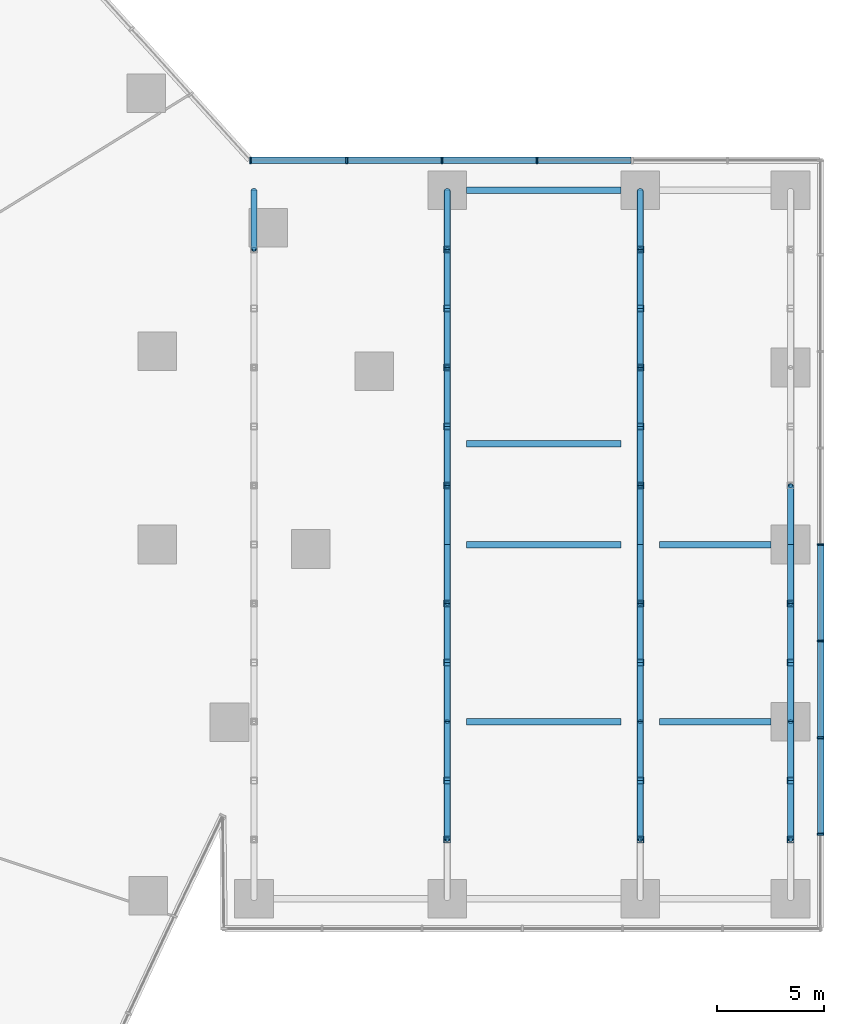
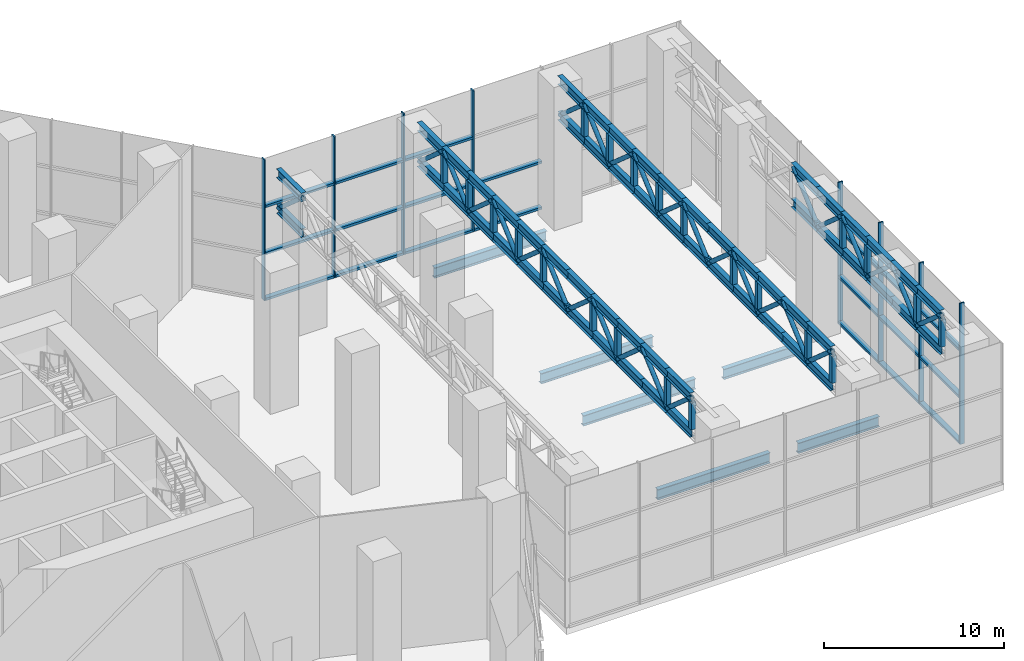
# One storey, part 7 of 21: 137 members, 6 beams, 2 elements without a shape of their own.
"""IFC4 building model written with IfcOpenShell, lengths in metres."""

import ifcopenshell
import ifcopenshell.guid

model = None  # the IFC model being written
_history = None  # IfcOwnerHistory: only IFC2X3 demands one
_inside = {}  # id of a spatial element -> (the spatial element, [elements in it])
_under = {}  # id of a project, library or spatial element -> (it, [spatial elements below it])
_declared = {}  # id of a project -> (the project, [libraries it declares])
_typed = {}  # id of a type object -> (the type object, [elements of that type])
_made_of = {}  # id of a material, layer set ... -> (it, [elements and type objects made of it])


def new_model(schema):
    """Start an empty IFC model of exactly this schema.

    Asked for "IFC4X3", IfcOpenShell would pick the latest addendum, in which some entities
    have other attributes; the version numbers below select the first issue.
    IFC2X3 requires an IfcOwnerHistory on every rooted entity: one is made here for all.
    """
    global model, _history
    if schema == "IFC4X3":
        model = ifcopenshell.file(schema_version=(4, 3, 0, 0))
    else:
        model = ifcopenshell.file(schema=schema)
    _inside.clear()
    _under.clear()
    _declared.clear()
    _typed.clear()
    _made_of.clear()
    _history = None
    if model.schema == "IFC2X3":
        org = make("IfcOrganization", Name="unknown")
        user = make(
            "IfcPersonAndOrganization",
            ThePerson=make("IfcPerson", FamilyName="unknown"),
            TheOrganization=org,
        )
        app = make(
            "IfcApplication",
            ApplicationDeveloper=org,
            Version="unknown",
            ApplicationFullName="unknown",
            ApplicationIdentifier="unknown",
        )
        _history = make(
            "IfcOwnerHistory",
            OwningUser=user,
            OwningApplication=app,
            ChangeAction="ADDED",
            CreationDate=0,
        )
    return model


def make(cls, **values):
    """One entity of the class cls with the attributes given. An attribute that is None is left unset."""
    return model.create_entity(
        cls, **{name: value for name, value in values.items() if value is not None}
    )


def rooted(cls, **values):
    """An entity with a GlobalId (a new one), such as an element, a storey or a relation."""
    return make(cls, GlobalId=ifcopenshell.guid.new(), OwnerHistory=_history, **values)


def si_unit(unit_type, name, prefix=None):
    """IfcSIUnit, for example si_unit("LENGTHUNIT", "METRE", prefix="MILLI")."""
    return make("IfcSIUnit", UnitType=unit_type, Prefix=prefix, Name=name)


def assignment(units):
    """IfcUnitAssignment: the units of a project."""
    return None if units is None else make("IfcUnitAssignment", Units=units)


def point(xyz):
    """IfcCartesianPoint."""
    return None if xyz is None else make("IfcCartesianPoint", Coordinates=xyz)


def direction(xyz):
    """IfcDirection."""
    return None if xyz is None else make("IfcDirection", DirectionRatios=xyz)


def frame(location, z_axis=None, x_axis=None):
    """IfcAxis2Placement3D, a coordinate frame: its origin and axes. An axis left out is left unset."""
    return make(
        "IfcAxis2Placement3D",
        Location=point(location),
        Axis=direction(z_axis),
        RefDirection=direction(x_axis),
    )


def frame_2d(location, x_axis=None):
    """IfcAxis2Placement2D, a coordinate frame in the plane: its origin and x axis."""
    return make(
        "IfcAxis2Placement2D", Location=point(location), RefDirection=direction(x_axis)
    )


def origin():
    """The frame at (0, 0, 0) with its axes left unset."""
    return frame((0.0, 0.0, 0.0))


def origin_2d():
    """The frame at (0, 0) in the plane with its x axis left unset."""
    return frame_2d((0.0, 0.0))


def place(relative_to, where):
    """IfcLocalPlacement: puts the frame where relative to a parent placement (None: the world)."""
    return make(
        "IfcLocalPlacement", PlacementRelTo=relative_to, RelativePlacement=where
    )


def context(
    kind, dimensions, precision=None, world=None, true_north=None, identifier=None
):
    """IfcGeometricRepresentationContext, for example the 3D "Model" context."""
    return make(
        "IfcGeometricRepresentationContext",
        ContextIdentifier=identifier,
        ContextType=kind,
        CoordinateSpaceDimension=dimensions,
        Precision=precision,
        WorldCoordinateSystem=world,
        TrueNorth=true_north,
    )


def subcontext(parent, identifier, kind, view, scale=None):
    """IfcGeometricRepresentationSubContext, for example "Body" below "Model"."""
    return make(
        "IfcGeometricRepresentationSubContext",
        ContextIdentifier=identifier,
        ContextType=kind,
        ParentContext=parent,
        TargetScale=scale,
        TargetView=view,
    )


def project(units=None, contexts=None):
    """IfcProject with its units and contexts."""
    return rooted(
        "IfcProject",
        Name="project",
        RepresentationContexts=contexts,
        UnitsInContext=assignment(units),
    )


def spatial(cls, under=None, at=None, **own):
    """A site, building, storey or space (cls), placed at a placement, below another one or the project."""
    s = rooted(cls, ObjectPlacement=at, **own)
    if under is not None:
        _under.setdefault(under.id(), (under, []))[1].append(s)
    return s


def profile(cls, at=None, kind="AREA", **sizes):
    """A parametric profile (cls). Its sizes go by their IFC names, for example OverallWidth=200.0."""
    return make(cls, ProfileType=kind, Position=at, **sizes)


def rectangle(**sizes):
    """IfcRectangleProfileDef."""
    return profile("IfcRectangleProfileDef", **sizes)


def hollow_rectangle(**sizes):
    """IfcRectangleHollowProfileDef."""
    return profile("IfcRectangleHollowProfileDef", **sizes)


def hollow_circle(**sizes):
    """IfcCircleHollowProfileDef."""
    return profile("IfcCircleHollowProfileDef", **sizes)


def i_section(**sizes):
    """IfcIShapeProfileDef."""
    return profile("IfcIShapeProfileDef", **sizes)


def extrude(swept, where, along, depth):
    """IfcExtrudedAreaSolid: the profile swept, set in the frame where, extruded along a direction by depth."""
    return make(
        "IfcExtrudedAreaSolid",
        SweptArea=swept,
        Position=where,
        ExtrudedDirection=direction(along),
        Depth=depth,
    )


def shape(context_of_items, identifier, shape_type, items):
    """IfcShapeRepresentation: the items that make up one representation, for example the "Body"."""
    return make(
        "IfcShapeRepresentation",
        ContextOfItems=context_of_items,
        RepresentationIdentifier=identifier,
        RepresentationType=shape_type,
        Items=items,
    )


def material(Name=None, Category=None):
    """IfcMaterial."""
    return make("IfcMaterial", Name=Name, Category=Category)


def layer(
    of_material, thickness, ventilated=None, Name=None, Category=None, Priority=None
):
    """IfcMaterialLayer: one layer of a wall or slab, of a material (None: an air gap)."""
    return make(
        "IfcMaterialLayer",
        Material=of_material,
        LayerThickness=thickness,
        IsVentilated=ventilated,
        Name=Name,
        Category=Category,
        Priority=Priority,
    )


def layer_set(layers, Name=None):
    """IfcMaterialLayerSet."""
    return make("IfcMaterialLayerSet", MaterialLayers=layers, LayerSetName=Name)


def material_profile(
    of_material, cross_section, Name=None, Category=None, Priority=None
):
    """IfcMaterialProfile: a cross section and its material."""
    return make(
        "IfcMaterialProfile",
        Name=Name,
        Material=of_material,
        Profile=cross_section,
        Priority=Priority,
        Category=Category,
    )


def profile_set(profiles, Name=None, composite=None):
    """IfcMaterialProfileSet."""
    return make(
        "IfcMaterialProfileSet",
        Name=Name,
        MaterialProfiles=profiles,
        CompositeProfile=composite,
    )


def made_of(thing, what):
    """Note that an element or type object is made of a material, layer set ...; save() writes the relation."""
    if what is not None:
        _made_of.setdefault(what.id(), (what, []))[1].append(thing)
    return thing


def type_object(cls, material=None, **own):
    """A type object (cls), such as IfcWallType, which elements share."""
    return made_of(rooted(cls, **own), material)


def element(
    cls,
    number,
    at=None,
    inside=None,
    cuts=None,
    type_object=None,
    material=None,
    context=None,
    identifier="Body",
    shape_type=None,
    held_by="IfcProductDefinitionShape",
    body=None,
    shapes=None,
    **own,
):
    """One element of the class cls, such as IfcWall. Its Tag is "e" and its number.

    at: its placement. inside: the storey or other place that contains it. cuts: it is an
    opening in that element (IfcRelVoidsElement). A single representation is given by context,
    identifier, shape_type and body (its items); several are given by shapes. held_by: the class
    of the entity that holds the representations. save() writes the other relations.
    """
    e = rooted(cls, Tag="e%d" % number, ObjectPlacement=at, **own)
    if body is not None:
        shapes = [shape(context, identifier, shape_type, body)]
    if shapes is not None:
        e.Representation = make(held_by, Representations=shapes)
    if inside is not None:
        _inside.setdefault(inside.id(), (inside, []))[1].append(e)
    if cuts is not None:
        rooted(
            "IfcRelVoidsElement", RelatingBuildingElement=cuts, RelatedOpeningElement=e
        )
    if type_object is not None:
        _typed.setdefault(type_object.id(), (type_object, []))[1].append(e)
    return made_of(e, material)


def aggregate(whole, parts):
    """IfcRelAggregates: a whole, such as a stair, and the parts it consists of."""
    return rooted("IfcRelAggregates", RelatingObject=whole, RelatedObjects=parts)


def save(model, path):
    """Write the relations noted so far, then the file.

    IfcRelAggregates (storeys below a building ...), IfcRelContainedInSpatialStructure (elements
    in a storey), IfcRelDefinesByType, IfcRelAssociatesMaterial and IfcRelDeclares: one each for
    every whole, place, type object, material and project.
    """
    for whole, parts in _under.values():
        aggregate(whole, parts)
    for where, things in _inside.values():
        rooted(
            "IfcRelContainedInSpatialStructure",
            RelatedElements=things,
            RelatingStructure=where,
        )
    for kind, things in _typed.values():
        rooted("IfcRelDefinesByType", RelatedObjects=things, RelatingType=kind)
    for what, things in _made_of.values():
        rooted("IfcRelAssociatesMaterial", RelatedObjects=things, RelatingMaterial=what)
    for by, libraries in _declared.values():
        rooted("IfcRelDeclares", RelatingContext=by, RelatedDefinitions=libraries)
    model.write(path)


model = new_model("IFC4")

# Units and contexts
model_context = context("Model", 3, precision=1e-05, world=origin(), true_north=direction((0.0, 1.0)))
body_context = subcontext(model_context, "Body", "Model", "MODEL_VIEW")
ifc_project = project(units=[si_unit("LENGTHUNIT", "METRE"), si_unit("AREAUNIT", "SQUARE_METRE"), si_unit("VOLUMEUNIT", "CUBIC_METRE"), si_unit("PLANEANGLEUNIT", "RADIAN"), si_unit("MASSUNIT", "GRAM", prefix="KILO")], contexts=[model_context])

# Site, building, storey
site_placement = place(None, origin())
site = spatial("IfcSite", under=ifc_project, at=site_placement, CompositionType="ELEMENT")
building_placement = place(site_placement, origin())
building = spatial("IfcBuilding", under=site, at=building_placement, Name="Dongbaek Canopy Tower", CompositionType="ELEMENT")
storey_placement = place(building_placement, frame((0.0, 0.0, 9.0)))
storey = spatial("IfcBuildingStorey", under=building, at=storey_placement, Name="L01", CompositionType="ELEMENT", Elevation=9.0)

# Members
ifc_material_1 = material(Name="Steel S355", Category="steel")
ifc_material_profile_1 = material_profile(ifc_material_1, hollow_circle(Radius=0.1337890625, WallThickness=0.00927734375, at=origin_2d()), Name="BRACE CHS 267.4x9.3 Steel S355")
ifc_profile_set_1 = profile_set([ifc_material_profile_1], Name="Steel S355")
member_type_1 = type_object("IfcMemberType", Name="BRACE CHS 267.4x9.3 Steel S355", PredefinedType="BRACE", material=ifc_profile_set_1)
for number, where, z_axis, x_axis, name in (
    (1, (31.5, 13.75, 9.406005859375), (0.0, 0.751782331066, -0.659411348627), (-1.0, 0.0, 0.0), "ROOFTRUSS:EW:0:D11"),
    (2, (40.5, -13.75, 9.406005859375), (0.0, 0.751782331066, -0.659411348627), (-1.0, 0.0, 0.0), "ROOFTRUSS:EW:1:D1"),
    (3, (40.5, -11.0, 6.993896484375), (0.0, 0.751782331066, 0.659411348627), (-1.0, 0.0, 0.0), "ROOFTRUSS:EW:1:D2"),
    (4, (40.5, -8.25, 9.406005859375), (0.0, 0.751782331066, -0.659411348627), (-1.0, 0.0, 0.0), "ROOFTRUSS:EW:1:D3"),
    (5, (40.5, -5.5, 6.993896484375), (0.0, 0.751782331066, 0.659411348627), (-1.0, 0.0, 0.0), "ROOFTRUSS:EW:1:D4"),
    (6, (40.5, -2.75, 9.406005859375), (0.0, 0.751782331066, -0.659411348627), (-1.0, 0.0, 0.0), "ROOFTRUSS:EW:1:D5"),
    (7, (40.5, 0.0, 6.993896484375), (0.0, 0.751782331066, 0.659411348627), (-1.0, 0.0, 0.0), "ROOFTRUSS:EW:1:D6"),
    (8, (40.5, 2.75, 9.406005859375), (0.0, 0.751782331066, -0.659411348627), (-1.0, 0.0, 0.0), "ROOFTRUSS:EW:1:D7"),
    (9, (40.5, 5.5, 6.993896484375), (0.0, 0.751782331066, 0.659411348627), (-1.0, 0.0, 0.0), "ROOFTRUSS:EW:1:D8"),
    (10, (40.5, 8.25, 9.406005859375), (0.0, 0.751782331066, -0.659411348627), (-1.0, 0.0, 0.0), "ROOFTRUSS:EW:1:D9"),
    (11, (40.5, 11.0, 6.993896484375), (0.0, 0.751782331066, 0.659411348627), (-1.0, 0.0, 0.0), "ROOFTRUSS:EW:1:D10"),
    (12, (40.5, 13.75, 9.406005859375), (0.0, 0.751782331066, -0.659411348627), (-1.0, 0.0, 0.0), "ROOFTRUSS:EW:1:D11"),
    (13, (49.5, -13.75, 9.406005859375), (0.0, 0.751782331066, -0.659411348627), (-1.0, 0.0, 0.0), "ROOFTRUSS:EW:2:D1"),
    (14, (49.5, -11.0, 6.993896484375), (0.0, 0.751782331066, 0.659411348627), (-1.0, 0.0, 0.0), "ROOFTRUSS:EW:2:D2"),
    (15, (49.5, -8.25, 9.406005859375), (0.0, 0.751782331066, -0.659411348627), (-1.0, 0.0, 0.0), "ROOFTRUSS:EW:2:D3"),
    (16, (49.5, -5.5, 6.993896484375), (0.0, 0.751782331066, 0.659411348627), (-1.0, 0.0, 0.0), "ROOFTRUSS:EW:2:D4"),
    (17, (49.5, -2.75, 9.406005859375), (0.0, 0.751782331066, -0.659411348627), (-1.0, 0.0, 0.0), "ROOFTRUSS:EW:2:D5"),
    (18, (49.5, 0.0, 6.993896484375), (0.0, 0.751782331066, 0.659411348627), (-1.0, 0.0, 0.0), "ROOFTRUSS:EW:2:D6"),
    (19, (49.5, 2.75, 9.406005859375), (0.0, 0.751782331066, -0.659411348627), (-1.0, 0.0, 0.0), "ROOFTRUSS:EW:2:D7"),
    (20, (49.5, 5.5, 6.993896484375), (0.0, 0.751782331066, 0.659411348627), (-1.0, 0.0, 0.0), "ROOFTRUSS:EW:2:D8"),
    (21, (49.5, 8.25, 9.406005859375), (0.0, 0.751782331066, -0.659411348627), (-1.0, 0.0, 0.0), "ROOFTRUSS:EW:2:D9"),
    (22, (49.5, 11.0, 6.993896484375), (0.0, 0.751782331066, 0.659411348627), (-1.0, 0.0, 0.0), "ROOFTRUSS:EW:2:D10"),
    (23, (49.5, 13.75, 9.406005859375), (0.0, 0.751782331066, -0.659411348627), (-1.0, 0.0, 0.0), "ROOFTRUSS:EW:2:D11"),
    (24, (56.5, -13.75, 9.406005859375), (0.0, 0.751782331066, -0.659411348627), (-1.0, 0.0, 0.0), "ROOFTRUSS:EW:3:D1"),
    (25, (56.5, -11.0, 6.993896484375), (0.0, 0.751782331066, 0.659411348627), (-1.0, 0.0, 0.0), "ROOFTRUSS:EW:3:D2"),
    (26, (56.5, -8.25, 9.406005859375), (0.0, 0.751782331066, -0.659411348627), (-1.0, 0.0, 0.0), "ROOFTRUSS:EW:3:D3"),
    (27, (56.5, -5.5, 6.993896484375), (0.0, 0.751782331066, 0.659411348627), (-1.0, 0.0, 0.0), "ROOFTRUSS:EW:3:D4"),
    (28, (56.5, -2.75, 9.406005859375), (0.0, 0.751782331066, -0.659411348627), (-1.0, 0.0, 0.0), "ROOFTRUSS:EW:3:D5"),
    (29, (56.5, 0.0, 6.993896484375), (0.0, 0.751782331066, 0.659411348627), (-1.0, 0.0, 0.0), "ROOFTRUSS:EW:3:D6"),
):
    element("IfcMember", number, at=place(storey_placement, frame(where, z_axis=z_axis, x_axis=x_axis)), inside=storey, type_object=member_type_1, Name=name, PredefinedType="BRACE", context=body_context, shape_type="SweptSolid", body=[
        extrude(hollow_circle(Radius=0.1337890625, WallThickness=0.00927734375, at=origin_2d()), origin(), (0.0, 0.0, 1.0), 3.657958984375),
    ])
ifc_material_2 = material(Name="Steel S355", Category="steel")
ifc_material_profile_2 = material_profile(ifc_material_2, i_section(OverallWidth=0.300048828125, OverallDepth=0.587890625, WebThickness=0.011962890625, FlangeThickness=0.02001953125, FilletRadius=0.028076171875, at=origin_2d()), Name="CHORD H 588x300x12x20 Steel S355")
ifc_profile_set_2 = profile_set([ifc_material_profile_2], Name="Steel S355")
member_type_2 = type_object("IfcMemberType", Name="CHORD H 588x300x12x20 Steel S355", PredefinedType="CHORD", material=ifc_profile_set_2)
for number, where, z_axis, x_axis, name in (
    (30, (31.5, 13.75, 6.993896484375), (0.0, 1.0, 0.0), (-1.0, 0.0, 0.0), "ROOFTRUSS:EW:0:CB11"),
    (31, (31.5, 13.75, 9.406005859375), (0.0, 1.0, 0.0), (-1.0, 0.0, 0.0), "ROOFTRUSS:EW:0:CT11"),
    (32, (40.5, -13.75, 6.993896484375), (0.0, 1.0, 0.0), (-1.0, 0.0, 0.0), "ROOFTRUSS:EW:1:CB1"),
    (33, (40.5, -13.75, 9.406005859375), (0.0, 1.0, 0.0), (-1.0, 0.0, 0.0), "ROOFTRUSS:EW:1:CT1"),
    (34, (40.5, -11.0, 6.993896484375), (0.0, 1.0, 0.0), (-1.0, 0.0, 0.0), "ROOFTRUSS:EW:1:CB2"),
    (35, (40.5, -11.0, 9.406005859375), (0.0, 1.0, 0.0), (-1.0, 0.0, 0.0), "ROOFTRUSS:EW:1:CT2"),
    (36, (40.5, -8.25, 6.993896484375), (0.0, 1.0, 0.0), (-1.0, 0.0, 0.0), "ROOFTRUSS:EW:1:CB3"),
    (37, (40.5, -8.25, 9.406005859375), (0.0, 1.0, 0.0), (-1.0, 0.0, 0.0), "ROOFTRUSS:EW:1:CT3"),
    (38, (40.5, -5.5, 6.993896484375), (0.0, 1.0, 0.0), (-1.0, 0.0, 0.0), "ROOFTRUSS:EW:1:CB4"),
    (39, (40.5, -5.5, 9.406005859375), (0.0, 1.0, 0.0), (-1.0, 0.0, 0.0), "ROOFTRUSS:EW:1:CT4"),
    (40, (40.5, -2.75, 6.993896484375), (0.0, 1.0, 0.0), (-1.0, 0.0, 0.0), "ROOFTRUSS:EW:1:CB5"),
    (41, (40.5, -2.75, 9.406005859375), (0.0, 1.0, 0.0), (-1.0, 0.0, 0.0), "ROOFTRUSS:EW:1:CT5"),
    (42, (40.5, 0.0, 6.993896484375), (0.0, 1.0, 0.0), (-1.0, 0.0, 0.0), "ROOFTRUSS:EW:1:CB6"),
    (43, (40.5, 0.0, 9.406005859375), (0.0, 1.0, 0.0), (-1.0, 0.0, 0.0), "ROOFTRUSS:EW:1:CT6"),
    (44, (40.5, 2.75, 6.993896484375), (0.0, 1.0, 0.0), (-1.0, 0.0, 0.0), "ROOFTRUSS:EW:1:CB7"),
    (45, (40.5, 2.75, 9.406005859375), (0.0, 1.0, 0.0), (-1.0, 0.0, 0.0), "ROOFTRUSS:EW:1:CT7"),
    (46, (40.5, 5.5, 6.993896484375), (0.0, 1.0, 0.0), (-1.0, 0.0, 0.0), "ROOFTRUSS:EW:1:CB8"),
    (47, (40.5, 5.5, 9.406005859375), (0.0, 1.0, 0.0), (-1.0, 0.0, 0.0), "ROOFTRUSS:EW:1:CT8"),
    (48, (40.5, 8.25, 6.993896484375), (0.0, 1.0, 0.0), (-1.0, 0.0, 0.0), "ROOFTRUSS:EW:1:CB9"),
    (49, (40.5, 8.25, 9.406005859375), (0.0, 1.0, 0.0), (-1.0, 0.0, 0.0), "ROOFTRUSS:EW:1:CT9"),
    (50, (40.5, 11.0, 6.993896484375), (0.0, 1.0, 0.0), (-1.0, 0.0, 0.0), "ROOFTRUSS:EW:1:CB10"),
    (51, (40.5, 11.0, 9.406005859375), (0.0, 1.0, 0.0), (-1.0, 0.0, 0.0), "ROOFTRUSS:EW:1:CT10"),
    (52, (40.5, 13.75, 6.993896484375), (0.0, 1.0, 0.0), (-1.0, 0.0, 0.0), "ROOFTRUSS:EW:1:CB11"),
    (53, (40.5, 13.75, 9.406005859375), (0.0, 1.0, 0.0), (-1.0, 0.0, 0.0), "ROOFTRUSS:EW:1:CT11"),
    (54, (49.5, -13.75, 6.993896484375), (0.0, 1.0, 0.0), (-1.0, 0.0, 0.0), "ROOFTRUSS:EW:2:CB1"),
    (55, (49.5, -13.75, 9.406005859375), (0.0, 1.0, 0.0), (-1.0, 0.0, 0.0), "ROOFTRUSS:EW:2:CT1"),
    (56, (49.5, -11.0, 6.993896484375), (0.0, 1.0, 0.0), (-1.0, 0.0, 0.0), "ROOFTRUSS:EW:2:CB2"),
    (57, (49.5, -11.0, 9.406005859375), (0.0, 1.0, 0.0), (-1.0, 0.0, 0.0), "ROOFTRUSS:EW:2:CT2"),
    (58, (49.5, -8.25, 6.993896484375), (0.0, 1.0, 0.0), (-1.0, 0.0, 0.0), "ROOFTRUSS:EW:2:CB3"),
    (59, (49.5, -8.25, 9.406005859375), (0.0, 1.0, 0.0), (-1.0, 0.0, 0.0), "ROOFTRUSS:EW:2:CT3"),
    (60, (49.5, -5.5, 6.993896484375), (0.0, 1.0, 0.0), (-1.0, 0.0, 0.0), "ROOFTRUSS:EW:2:CB4"),
    (61, (49.5, -5.5, 9.406005859375), (0.0, 1.0, 0.0), (-1.0, 0.0, 0.0), "ROOFTRUSS:EW:2:CT4"),
    (62, (49.5, -2.75, 6.993896484375), (0.0, 1.0, 0.0), (-1.0, 0.0, 0.0), "ROOFTRUSS:EW:2:CB5"),
    (63, (49.5, -2.75, 9.406005859375), (0.0, 1.0, 0.0), (-1.0, 0.0, 0.0), "ROOFTRUSS:EW:2:CT5"),
    (64, (49.5, 0.0, 6.993896484375), (0.0, 1.0, 0.0), (-1.0, 0.0, 0.0), "ROOFTRUSS:EW:2:CB6"),
    (65, (49.5, 0.0, 9.406005859375), (0.0, 1.0, 0.0), (-1.0, 0.0, 0.0), "ROOFTRUSS:EW:2:CT6"),
    (66, (49.5, 2.75, 6.993896484375), (0.0, 1.0, 0.0), (-1.0, 0.0, 0.0), "ROOFTRUSS:EW:2:CB7"),
    (67, (49.5, 2.75, 9.406005859375), (0.0, 1.0, 0.0), (-1.0, 0.0, 0.0), "ROOFTRUSS:EW:2:CT7"),
    (68, (49.5, 5.5, 6.993896484375), (0.0, 1.0, 0.0), (-1.0, 0.0, 0.0), "ROOFTRUSS:EW:2:CB8"),
    (69, (49.5, 5.5, 9.406005859375), (0.0, 1.0, 0.0), (-1.0, 0.0, 0.0), "ROOFTRUSS:EW:2:CT8"),
    (70, (49.5, 8.25, 6.993896484375), (0.0, 1.0, 0.0), (-1.0, 0.0, 0.0), "ROOFTRUSS:EW:2:CB9"),
    (71, (49.5, 8.25, 9.406005859375), (0.0, 1.0, 0.0), (-1.0, 0.0, 0.0), "ROOFTRUSS:EW:2:CT9"),
    (72, (49.5, 11.0, 6.993896484375), (0.0, 1.0, 0.0), (-1.0, 0.0, 0.0), "ROOFTRUSS:EW:2:CB10"),
    (73, (49.5, 11.0, 9.406005859375), (0.0, 1.0, 0.0), (-1.0, 0.0, 0.0), "ROOFTRUSS:EW:2:CT10"),
    (74, (49.5, 13.75, 6.993896484375), (0.0, 1.0, 0.0), (-1.0, 0.0, 0.0), "ROOFTRUSS:EW:2:CB11"),
    (75, (49.5, 13.75, 9.406005859375), (0.0, 1.0, 0.0), (-1.0, 0.0, 0.0), "ROOFTRUSS:EW:2:CT11"),
    (76, (56.5, -13.75, 6.993896484375), (0.0, 1.0, 0.0), (-1.0, 0.0, 0.0), "ROOFTRUSS:EW:3:CB1"),
    (77, (56.5, -13.75, 9.406005859375), (0.0, 1.0, 0.0), (-1.0, 0.0, 0.0), "ROOFTRUSS:EW:3:CT1"),
    (78, (56.5, -11.0, 6.993896484375), (0.0, 1.0, 0.0), (-1.0, 0.0, 0.0), "ROOFTRUSS:EW:3:CB2"),
    (79, (56.5, -11.0, 9.406005859375), (0.0, 1.0, 0.0), (-1.0, 0.0, 0.0), "ROOFTRUSS:EW:3:CT2"),
    (80, (56.5, -8.25, 6.993896484375), (0.0, 1.0, 0.0), (-1.0, 0.0, 0.0), "ROOFTRUSS:EW:3:CB3"),
    (81, (56.5, -8.25, 9.406005859375), (0.0, 1.0, 0.0), (-1.0, 0.0, 0.0), "ROOFTRUSS:EW:3:CT3"),
    (82, (56.5, -5.5, 6.993896484375), (0.0, 1.0, 0.0), (-1.0, 0.0, 0.0), "ROOFTRUSS:EW:3:CB4"),
    (83, (56.5, -5.5, 9.406005859375), (0.0, 1.0, 0.0), (-1.0, 0.0, 0.0), "ROOFTRUSS:EW:3:CT4"),
    (84, (56.5, -2.75, 6.993896484375), (0.0, 1.0, 0.0), (-1.0, 0.0, 0.0), "ROOFTRUSS:EW:3:CB5"),
    (85, (56.5, -2.75, 9.406005859375), (0.0, 1.0, 0.0), (-1.0, 0.0, 0.0), "ROOFTRUSS:EW:3:CT5"),
    (86, (56.5, 0.0, 6.993896484375), (0.0, 1.0, 0.0), (-1.0, 0.0, 0.0), "ROOFTRUSS:EW:3:CB6"),
    (87, (56.5, 0.0, 9.406005859375), (0.0, 1.0, 0.0), (-1.0, 0.0, 0.0), "ROOFTRUSS:EW:3:CT6"),
):
    element("IfcMember", number, at=place(storey_placement, frame(where, z_axis=z_axis, x_axis=x_axis)), inside=storey, type_object=member_type_2, Name=name, PredefinedType="CHORD", context=body_context, shape_type="SweptSolid", body=[
        extrude(i_section(OverallWidth=0.300048828125, OverallDepth=0.587890625, WebThickness=0.011962890625, FlangeThickness=0.02001953125, FilletRadius=0.028076171875, at=origin_2d()), origin(), (0.0, 0.0, 1.0), 2.75),
    ])

# Curtain wall, members
ifc_material_3 = material(Name="Aluminium 6063-T6 pale anodised", Category="aluminium")
ifc_layer = layer(ifc_material_3, 0.300048828125)
ifc_layer_set = layer_set([ifc_layer], Name="CW-2 podium hall curtain wall")
curtain_wall_type = type_object("IfcCurtainWallType", Name="CW-2 podium hall curtain wall", PredefinedType="NOTDEFINED", material=ifc_layer_set)
curtain_wall_1_placement = place(storey_placement, origin())
curtain_wall_1 = element("IfcCurtainWall", 88, at=curtain_wall_1_placement, inside=storey, type_object=curtain_wall_type, Name="CW-2 curtain wall F3.1", PredefinedType="NOTDEFINED")
ifc_material_4 = material(Name="Aluminium 6063-T6 pale anodised", Category="aluminium")
ifc_material_profile_3 = material_profile(ifc_material_4, rectangle(XDim=0.300048828125, YDim=0.080078125, at=origin_2d()), Name="CW-2 mullion 80 x 300")
ifc_profile_set_3 = profile_set([ifc_material_profile_3], Name="Aluminium 6063-T6 pale anodised")
member_type_3 = type_object("IfcMemberType", Name="CW-2 mullion 80 x 300", PredefinedType="MULLION", material=ifc_profile_set_3)
member_1_placement = place(storey_placement, frame((57.89990234375, -13.5, 0.0), z_axis=(0.0, 0.0, 1.0), x_axis=(1.0, 0.0, 0.0)))
member_1 = element("IfcMember", 89, at=member_1_placement, type_object=member_type_3, Name="CW-2 mullion F3.1.2", PredefinedType="MULLION", context=body_context, shape_type="SweptSolid", body=[
    extrude(rectangle(XDim=0.300048828125, YDim=0.080078125, at=origin_2d()), origin(), (0.0, 0.0, 1.0), 9.550048828125),
])
member_2_placement = place(storey_placement, frame((57.89990234375, -9.0, 0.0), z_axis=(0.0, 0.0, 1.0), x_axis=(1.0, 0.0, 0.0)))
member_2 = element("IfcMember", 90, at=member_2_placement, type_object=member_type_3, Name="CW-2 mullion F3.1.3", PredefinedType="MULLION", context=body_context, shape_type="SweptSolid", body=[
    extrude(rectangle(XDim=0.300048828125, YDim=0.080078125, at=origin_2d()), origin(), (0.0, 0.0, 1.0), 9.550048828125),
])
member_3_placement = place(storey_placement, frame((57.89990234375, -4.5, 0.0), z_axis=(0.0, 0.0, 1.0), x_axis=(1.0, 0.0, 0.0)))
member_3 = element("IfcMember", 91, at=member_3_placement, type_object=member_type_3, Name="CW-2 mullion F3.1.4", PredefinedType="MULLION", context=body_context, shape_type="SweptSolid", body=[
    extrude(rectangle(XDim=0.300048828125, YDim=0.080078125, at=origin_2d()), origin(), (0.0, 0.0, 1.0), 9.550048828125),
])
member_4_placement = place(storey_placement, frame((57.89990234375, 0.0, 0.0), z_axis=(0.0, 0.0, 1.0), x_axis=(1.0, 0.0, 0.0)))
member_4 = element("IfcMember", 92, at=member_4_placement, type_object=member_type_3, Name="CW-2 mullion F3.1.5", PredefinedType="MULLION", context=body_context, shape_type="SweptSolid", body=[
    extrude(rectangle(XDim=0.300048828125, YDim=0.080078125, at=origin_2d()), origin(), (0.0, 0.0, 1.0), 9.550048828125),
])

curtain_wall_2_placement = place(storey_placement, origin())
curtain_wall_2 = element("IfcCurtainWall", 93, at=curtain_wall_2_placement, inside=storey, type_object=curtain_wall_type, Name="CW-2 curtain wall F4.1", PredefinedType="NOTDEFINED")
member_5_placement = place(storey_placement, frame((44.69140625, 17.89990234375, 0.0), z_axis=(0.0, 0.0, 1.0), x_axis=(0.0, 1.0, 0.0)))
member_5 = element("IfcMember", 94, at=member_5_placement, type_object=member_type_3, Name="CW-2 mullion F4.1.4", PredefinedType="MULLION", context=body_context, shape_type="SweptSolid", body=[
    extrude(rectangle(XDim=0.300048828125, YDim=0.080078125, at=origin_2d()), origin(), (0.0, 0.0, 1.0), 9.550048828125),
])
member_6_placement = place(storey_placement, frame((40.255126953125, 17.89990234375, 0.0), z_axis=(0.0, 0.0, 1.0), x_axis=(0.0, 1.0, 0.0)))
member_6 = element("IfcMember", 95, at=member_6_placement, type_object=member_type_3, Name="CW-2 mullion F4.1.5", PredefinedType="MULLION", context=body_context, shape_type="SweptSolid", body=[
    extrude(rectangle(XDim=0.300048828125, YDim=0.080078125, at=origin_2d()), origin(), (0.0, 0.0, 1.0), 9.550048828125),
])
member_7_placement = place(storey_placement, frame((35.819091796875, 17.89990234375, 0.0), z_axis=(0.0, 0.0, 1.0), x_axis=(0.0, 1.0, 0.0)))
member_7 = element("IfcMember", 96, at=member_7_placement, type_object=member_type_3, Name="CW-2 mullion F4.1.6", PredefinedType="MULLION", context=body_context, shape_type="SweptSolid", body=[
    extrude(rectangle(XDim=0.300048828125, YDim=0.080078125, at=origin_2d()), origin(), (0.0, 0.0, 1.0), 9.550048828125),
])
member_8_placement = place(storey_placement, frame((31.33837890625, 17.89990234375, 0.0), z_axis=(0.0, 0.0, 1.0), x_axis=(0.0, 1.0, 0.0)))
member_8 = element("IfcMember", 97, at=member_8_placement, type_object=member_type_3, Name="CW-2 mullion F4.1.7", PredefinedType="MULLION", context=body_context, shape_type="SweptSolid", body=[
    extrude(rectangle(XDim=0.300048828125, YDim=0.080078125, at=origin_2d()), origin(), (0.0, 0.0, 1.0), 9.550048828125),
])

# Member
ifc_material_5 = material(Name="Aluminium 6063-T6 pale anodised", Category="aluminium")
ifc_material_profile_4 = material_profile(ifc_material_5, rectangle(XDim=0.300048828125, YDim=0.159912109375, at=origin_2d()), Name="CW-2 transom 160 x 300")
ifc_profile_set_4 = profile_set([ifc_material_profile_4], Name="Aluminium 6063-T6 pale anodised")
member_type_4 = type_object("IfcMemberType", Name="CW-2 transom 160 x 300", PredefinedType="USERDEFINED", material=ifc_profile_set_4)
member_9_placement = place(storey_placement, frame((57.89990234375, -13.447998046875, 0.080078125), z_axis=(0.0, 1.0, 0.0), x_axis=(-1.0, 0.0, 0.0)))
member_9 = element("IfcMember", 98, at=member_9_placement, type_object=member_type_4, Name="CW-2 transom F3.1.2.1", ObjectType="TRANSOM", PredefinedType="USERDEFINED", context=body_context, shape_type="SweptSolid", body=[
    extrude(rectangle(XDim=0.300048828125, YDim=0.159912109375, at=origin_2d()), origin(), (0.0, 0.0, 1.0), 4.39599609375),
])

member_10_placement = place(storey_placement, frame((57.89990234375, -13.447998046875, 3.183349609375), z_axis=(0.0, 1.0, 0.0), x_axis=(-1.0, 0.0, 0.0)))
member_10 = element("IfcMember", 99, at=member_10_placement, type_object=member_type_4, Name="CW-2 transom F3.1.2.2", ObjectType="TRANSOM", PredefinedType="USERDEFINED", context=body_context, shape_type="SweptSolid", body=[
    extrude(rectangle(XDim=0.300048828125, YDim=0.159912109375, at=origin_2d()), origin(), (0.0, 0.0, 1.0), 4.39599609375),
])

member_11_placement = place(storey_placement, frame((57.89990234375, -13.447998046875, 6.36669921875), z_axis=(0.0, 1.0, 0.0), x_axis=(-1.0, 0.0, 0.0)))
member_11 = element("IfcMember", 100, at=member_11_placement, type_object=member_type_4, Name="CW-2 transom F3.1.2.3", ObjectType="TRANSOM", PredefinedType="USERDEFINED", context=body_context, shape_type="SweptSolid", body=[
    extrude(rectangle(XDim=0.300048828125, YDim=0.159912109375, at=origin_2d()), origin(), (0.0, 0.0, 1.0), 4.39599609375),
])

member_12_placement = place(storey_placement, frame((57.89990234375, -8.947998046875, 0.080078125), z_axis=(0.0, 1.0, 0.0), x_axis=(-1.0, 0.0, 0.0)))
member_12 = element("IfcMember", 101, at=member_12_placement, type_object=member_type_4, Name="CW-2 transom F3.1.3.1", ObjectType="TRANSOM", PredefinedType="USERDEFINED", context=body_context, shape_type="SweptSolid", body=[
    extrude(rectangle(XDim=0.300048828125, YDim=0.159912109375, at=origin_2d()), origin(), (0.0, 0.0, 1.0), 4.39599609375),
])

member_13_placement = place(storey_placement, frame((57.89990234375, -8.947998046875, 3.183349609375), z_axis=(0.0, 1.0, 0.0), x_axis=(-1.0, 0.0, 0.0)))
member_13 = element("IfcMember", 102, at=member_13_placement, type_object=member_type_4, Name="CW-2 transom F3.1.3.2", ObjectType="TRANSOM", PredefinedType="USERDEFINED", context=body_context, shape_type="SweptSolid", body=[
    extrude(rectangle(XDim=0.300048828125, YDim=0.159912109375, at=origin_2d()), origin(), (0.0, 0.0, 1.0), 4.39599609375),
])

member_14_placement = place(storey_placement, frame((57.89990234375, -8.947998046875, 6.36669921875), z_axis=(0.0, 1.0, 0.0), x_axis=(-1.0, 0.0, 0.0)))
member_14 = element("IfcMember", 103, at=member_14_placement, type_object=member_type_4, Name="CW-2 transom F3.1.3.3", ObjectType="TRANSOM", PredefinedType="USERDEFINED", context=body_context, shape_type="SweptSolid", body=[
    extrude(rectangle(XDim=0.300048828125, YDim=0.159912109375, at=origin_2d()), origin(), (0.0, 0.0, 1.0), 4.39599609375),
])

member_15_placement = place(storey_placement, frame((57.89990234375, -4.447998046875, 0.080078125), z_axis=(0.0, 1.0, 0.0), x_axis=(-1.0, 0.0, 0.0)))
member_15 = element("IfcMember", 104, at=member_15_placement, type_object=member_type_4, Name="CW-2 transom F3.1.4.1", ObjectType="TRANSOM", PredefinedType="USERDEFINED", context=body_context, shape_type="SweptSolid", body=[
    extrude(rectangle(XDim=0.300048828125, YDim=0.159912109375, at=origin_2d()), origin(), (0.0, 0.0, 1.0), 4.39599609375),
])

member_16_placement = place(storey_placement, frame((57.89990234375, -4.447998046875, 3.183349609375), z_axis=(0.0, 1.0, 0.0), x_axis=(-1.0, 0.0, 0.0)))
member_16 = element("IfcMember", 105, at=member_16_placement, type_object=member_type_4, Name="CW-2 transom F3.1.4.2", ObjectType="TRANSOM", PredefinedType="USERDEFINED", context=body_context, shape_type="SweptSolid", body=[
    extrude(rectangle(XDim=0.300048828125, YDim=0.159912109375, at=origin_2d()), origin(), (0.0, 0.0, 1.0), 4.39599609375),
])

member_17_placement = place(storey_placement, frame((57.89990234375, -4.447998046875, 6.36669921875), z_axis=(0.0, 1.0, 0.0), x_axis=(-1.0, 0.0, 0.0)))
member_17 = element("IfcMember", 106, at=member_17_placement, type_object=member_type_4, Name="CW-2 transom F3.1.4.3", ObjectType="TRANSOM", PredefinedType="USERDEFINED", context=body_context, shape_type="SweptSolid", body=[
    extrude(rectangle(XDim=0.300048828125, YDim=0.159912109375, at=origin_2d()), origin(), (0.0, 0.0, 1.0), 4.39599609375),
])

aggregate(curtain_wall_1, [member_1, member_2, member_3, member_4, member_9, member_10, member_11, member_12, member_13, member_14, member_15, member_16, member_17])

member_18_placement = place(storey_placement, frame((49.07568359375, 17.89990234375, 0.080078125), z_axis=(-1.0, 0.0, 0.0), x_axis=(0.0, -1.0, 0.0)))
member_18 = element("IfcMember", 107, at=member_18_placement, type_object=member_type_4, Name="CW-2 transom F4.1.3.1", ObjectType="TRANSOM", PredefinedType="USERDEFINED", context=body_context, shape_type="SweptSolid", body=[
    extrude(rectangle(XDim=0.300048828125, YDim=0.159912109375, at=origin_2d()), origin(), (0.0, 0.0, 1.0), 4.332275390625),
])

member_19_placement = place(storey_placement, frame((49.07568359375, 17.89990234375, 3.183349609375), z_axis=(-1.0, 0.0, 0.0), x_axis=(0.0, -1.0, 0.0)))
member_19 = element("IfcMember", 108, at=member_19_placement, type_object=member_type_4, Name="CW-2 transom F4.1.3.2", ObjectType="TRANSOM", PredefinedType="USERDEFINED", context=body_context, shape_type="SweptSolid", body=[
    extrude(rectangle(XDim=0.300048828125, YDim=0.159912109375, at=origin_2d()), origin(), (0.0, 0.0, 1.0), 4.332275390625),
])

member_20_placement = place(storey_placement, frame((44.639404296875, 17.89990234375, 0.080078125), z_axis=(-1.0, 0.0, 0.0), x_axis=(0.0, -1.0, 0.0)))
member_20 = element("IfcMember", 109, at=member_20_placement, type_object=member_type_4, Name="CW-2 transom F4.1.4.1", ObjectType="TRANSOM", PredefinedType="USERDEFINED", context=body_context, shape_type="SweptSolid", body=[
    extrude(rectangle(XDim=0.300048828125, YDim=0.159912109375, at=origin_2d()), origin(), (0.0, 0.0, 1.0), 4.332275390625),
])

member_21_placement = place(storey_placement, frame((44.639404296875, 17.89990234375, 3.183349609375), z_axis=(-1.0, 0.0, 0.0), x_axis=(0.0, -1.0, 0.0)))
member_21 = element("IfcMember", 110, at=member_21_placement, type_object=member_type_4, Name="CW-2 transom F4.1.4.2", ObjectType="TRANSOM", PredefinedType="USERDEFINED", context=body_context, shape_type="SweptSolid", body=[
    extrude(rectangle(XDim=0.300048828125, YDim=0.159912109375, at=origin_2d()), origin(), (0.0, 0.0, 1.0), 4.332275390625),
])

member_22_placement = place(storey_placement, frame((44.639404296875, 17.89990234375, 6.36669921875), z_axis=(-1.0, 0.0, 0.0), x_axis=(0.0, -1.0, 0.0)))
member_22 = element("IfcMember", 111, at=member_22_placement, type_object=member_type_4, Name="CW-2 transom F4.1.4.3", ObjectType="TRANSOM", PredefinedType="USERDEFINED", context=body_context, shape_type="SweptSolid", body=[
    extrude(rectangle(XDim=0.300048828125, YDim=0.159912109375, at=origin_2d()), origin(), (0.0, 0.0, 1.0), 4.332275390625),
])

member_23_placement = place(storey_placement, frame((40.203125, 17.89990234375, 0.080078125), z_axis=(-1.0, 0.0, 0.0), x_axis=(0.0, -1.0, 0.0)))
member_23 = element("IfcMember", 112, at=member_23_placement, type_object=member_type_4, Name="CW-2 transom F4.1.5.1", ObjectType="TRANSOM", PredefinedType="USERDEFINED", context=body_context, shape_type="SweptSolid", body=[
    extrude(rectangle(XDim=0.300048828125, YDim=0.159912109375, at=origin_2d()), origin(), (0.0, 0.0, 1.0), 4.33203125),
])

member_24_placement = place(storey_placement, frame((40.203125, 17.89990234375, 3.183349609375), z_axis=(-1.0, 0.0, 0.0), x_axis=(0.0, -1.0, 0.0)))
member_24 = element("IfcMember", 113, at=member_24_placement, type_object=member_type_4, Name="CW-2 transom F4.1.5.2", ObjectType="TRANSOM", PredefinedType="USERDEFINED", context=body_context, shape_type="SweptSolid", body=[
    extrude(rectangle(XDim=0.300048828125, YDim=0.159912109375, at=origin_2d()), origin(), (0.0, 0.0, 1.0), 4.33203125),
])

member_25_placement = place(storey_placement, frame((40.203125, 17.89990234375, 6.36669921875), z_axis=(-1.0, 0.0, 0.0), x_axis=(0.0, -1.0, 0.0)))
member_25 = element("IfcMember", 114, at=member_25_placement, type_object=member_type_4, Name="CW-2 transom F4.1.5.3", ObjectType="TRANSOM", PredefinedType="USERDEFINED", context=body_context, shape_type="SweptSolid", body=[
    extrude(rectangle(XDim=0.300048828125, YDim=0.159912109375, at=origin_2d()), origin(), (0.0, 0.0, 1.0), 4.33203125),
])

member_26_placement = place(storey_placement, frame((35.76708984375, 17.89990234375, 0.080078125), z_axis=(-1.0, 0.0, 0.0), x_axis=(0.0, -1.0, 0.0)))
member_26 = element("IfcMember", 115, at=member_26_placement, type_object=member_type_4, Name="CW-2 transom F4.1.6.1", ObjectType="TRANSOM", PredefinedType="USERDEFINED", context=body_context, shape_type="SweptSolid", body=[
    extrude(rectangle(XDim=0.300048828125, YDim=0.159912109375, at=origin_2d()), origin(), (0.0, 0.0, 1.0), 4.376708984375),
])

member_27_placement = place(storey_placement, frame((35.76708984375, 17.89990234375, 3.183349609375), z_axis=(-1.0, 0.0, 0.0), x_axis=(0.0, -1.0, 0.0)))
member_27 = element("IfcMember", 116, at=member_27_placement, type_object=member_type_4, Name="CW-2 transom F4.1.6.2", ObjectType="TRANSOM", PredefinedType="USERDEFINED", context=body_context, shape_type="SweptSolid", body=[
    extrude(rectangle(XDim=0.300048828125, YDim=0.159912109375, at=origin_2d()), origin(), (0.0, 0.0, 1.0), 4.376708984375),
])

member_28_placement = place(storey_placement, frame((35.76708984375, 17.89990234375, 6.36669921875), z_axis=(-1.0, 0.0, 0.0), x_axis=(0.0, -1.0, 0.0)))
member_28 = element("IfcMember", 117, at=member_28_placement, type_object=member_type_4, Name="CW-2 transom F4.1.6.3", ObjectType="TRANSOM", PredefinedType="USERDEFINED", context=body_context, shape_type="SweptSolid", body=[
    extrude(rectangle(XDim=0.300048828125, YDim=0.159912109375, at=origin_2d()), origin(), (0.0, 0.0, 1.0), 4.376708984375),
])

aggregate(curtain_wall_2, [member_5, member_6, member_7, member_8, member_18, member_19, member_20, member_21, member_22, member_23, member_24, member_25, member_26, member_27, member_28])

# Beams
ifc_material_6 = material(Name="Steel S355", Category="steel")
ifc_material_profile_5 = material_profile(ifc_material_6, i_section(OverallWidth=0.300048828125, OverallDepth=0.699951171875, WebThickness=0.012939453125, FlangeThickness=0.02392578125, FilletRadius=0.028076171875, at=origin_2d()), Name="FLOOR GIRDER H 700x300x13x24 Steel S355 beam")
ifc_profile_set_5 = profile_set([ifc_material_profile_5], Name="Steel S355")
beam_type = type_object("IfcBeamType", Name="FLOOR GIRDER H 700x300x13x24 Steel S355 beam", PredefinedType="BEAM", material=ifc_profile_set_5)
beam_1_placement = place(storey_placement, frame((41.39990234375, -8.25, -0.800048828125), z_axis=(1.0, 0.0, 0.0), x_axis=(0.0, 1.0, 0.0)))
element("IfcBeam", 118, at=beam_1_placement, inside=storey, type_object=beam_type, Name="GIRDER:EW:04", PredefinedType="BEAM", context=body_context, shape_type="SweptSolid", body=[
    extrude(i_section(OverallWidth=0.300048828125, OverallDepth=0.699951171875, WebThickness=0.012939453125, FlangeThickness=0.02392578125, FilletRadius=0.028076171875, at=origin_2d()), origin(), (0.0, 0.0, 1.0), 7.2001953125),
])
beam_2_placement = place(storey_placement, frame((50.39990234375, -8.25, -0.800048828125), z_axis=(1.0, 0.0, 0.0), x_axis=(0.0, 1.0, 0.0)))
element("IfcBeam", 119, at=beam_2_placement, inside=storey, type_object=beam_type, Name="GIRDER:EW:05", PredefinedType="BEAM", context=body_context, shape_type="SweptSolid", body=[
    extrude(i_section(OverallWidth=0.300048828125, OverallDepth=0.699951171875, WebThickness=0.012939453125, FlangeThickness=0.02392578125, FilletRadius=0.028076171875, at=origin_2d()), origin(), (0.0, 0.0, 1.0), 5.2001953125),
])
beam_3_placement = place(storey_placement, frame((41.39990234375, 0.0, -0.800048828125), z_axis=(1.0, 0.0, 0.0), x_axis=(0.0, 1.0, 0.0)))
element("IfcBeam", 120, at=beam_3_placement, inside=storey, type_object=beam_type, Name="GIRDER:EW:06", PredefinedType="BEAM", context=body_context, shape_type="SweptSolid", body=[
    extrude(i_section(OverallWidth=0.300048828125, OverallDepth=0.699951171875, WebThickness=0.012939453125, FlangeThickness=0.02392578125, FilletRadius=0.028076171875, at=origin_2d()), origin(), (0.0, 0.0, 1.0), 7.2001953125),
])
beam_4_placement = place(storey_placement, frame((50.39990234375, 0.0, -0.800048828125), z_axis=(1.0, 0.0, 0.0), x_axis=(0.0, 1.0, 0.0)))
element("IfcBeam", 121, at=beam_4_placement, inside=storey, type_object=beam_type, Name="GIRDER:EW:07", PredefinedType="BEAM", context=body_context, shape_type="SweptSolid", body=[
    extrude(i_section(OverallWidth=0.300048828125, OverallDepth=0.699951171875, WebThickness=0.012939453125, FlangeThickness=0.02392578125, FilletRadius=0.028076171875, at=origin_2d()), origin(), (0.0, 0.0, 1.0), 5.2001953125),
])
for number, where, z_axis, x_axis, name in (
    (122, (41.39990234375, 4.699951171875, -0.800048828125), (1.0, 0.0, 0.0), (0.0, 1.0, 0.0), "GIRDER:EW:08"),
    (123, (41.39990234375, 16.5, -0.800048828125), (1.0, 0.0, 0.0), (0.0, 1.0, 0.0), "GIRDER:EW:09"),
):
    element("IfcBeam", number, at=place(storey_placement, frame(where, z_axis=z_axis, x_axis=x_axis)), inside=storey, type_object=beam_type, Name=name, PredefinedType="BEAM", context=body_context, shape_type="SweptSolid", body=[
        extrude(i_section(OverallWidth=0.300048828125, OverallDepth=0.699951171875, WebThickness=0.012939453125, FlangeThickness=0.02392578125, FilletRadius=0.028076171875, at=origin_2d()), origin(), (0.0, 0.0, 1.0), 7.2001953125),
    ])

# Members
ifc_material_7 = material(Name="Steel S355", Category="steel")
ifc_material_profile_6 = material_profile(ifc_material_7, hollow_rectangle(XDim=0.300048828125, YDim=0.300048828125, WallThickness=0.011962890625, at=origin_2d()), Name="POST SHS 300x300x12 Steel S355")
ifc_profile_set_6 = profile_set([ifc_material_profile_6], Name="Steel S355")
member_type_5 = type_object("IfcMemberType", Name="POST SHS 300x300x12 Steel S355", PredefinedType="POST", material=ifc_profile_set_6)
for number, where, z_axis, x_axis, name in (
    (124, (40.5, -13.75, 7.2880859375), (0.0, 0.0, 1.0), (1.0, 0.0, 0.0), "ROOFTRUSS:EW:1:P1"),
    (125, (40.5, -11.0, 7.2880859375), (0.0, 0.0, 1.0), (1.0, 0.0, 0.0), "ROOFTRUSS:EW:1:P2"),
    (126, (40.5, -5.5, 7.2880859375), (0.0, 0.0, 1.0), (1.0, 0.0, 0.0), "ROOFTRUSS:EW:1:P4"),
    (127, (40.5, -2.75, 7.2880859375), (0.0, 0.0, 1.0), (1.0, 0.0, 0.0), "ROOFTRUSS:EW:1:P5"),
    (128, (40.5, 2.75, 7.2880859375), (0.0, 0.0, 1.0), (1.0, 0.0, 0.0), "ROOFTRUSS:EW:1:P7"),
    (129, (40.5, 5.5, 7.2880859375), (0.0, 0.0, 1.0), (1.0, 0.0, 0.0), "ROOFTRUSS:EW:1:P8"),
    (130, (40.5, 8.25, 7.2880859375), (0.0, 0.0, 1.0), (1.0, 0.0, 0.0), "ROOFTRUSS:EW:1:P9"),
    (131, (40.5, 11.0, 7.2880859375), (0.0, 0.0, 1.0), (1.0, 0.0, 0.0), "ROOFTRUSS:EW:1:P10"),
    (132, (40.5, 13.75, 7.2880859375), (0.0, 0.0, 1.0), (1.0, 0.0, 0.0), "ROOFTRUSS:EW:1:P11"),
    (133, (49.5, -13.75, 7.2880859375), (0.0, 0.0, 1.0), (1.0, 0.0, 0.0), "ROOFTRUSS:EW:2:P1"),
    (134, (49.5, -11.0, 7.2880859375), (0.0, 0.0, 1.0), (1.0, 0.0, 0.0), "ROOFTRUSS:EW:2:P2"),
    (135, (49.5, -5.5, 7.2880859375), (0.0, 0.0, 1.0), (1.0, 0.0, 0.0), "ROOFTRUSS:EW:2:P4"),
    (136, (49.5, -2.75, 7.2880859375), (0.0, 0.0, 1.0), (1.0, 0.0, 0.0), "ROOFTRUSS:EW:2:P5"),
    (137, (49.5, 2.75, 7.2880859375), (0.0, 0.0, 1.0), (1.0, 0.0, 0.0), "ROOFTRUSS:EW:2:P7"),
    (138, (49.5, 5.5, 7.2880859375), (0.0, 0.0, 1.0), (1.0, 0.0, 0.0), "ROOFTRUSS:EW:2:P8"),
    (139, (49.5, 8.25, 7.2880859375), (0.0, 0.0, 1.0), (1.0, 0.0, 0.0), "ROOFTRUSS:EW:2:P9"),
    (140, (49.5, 11.0, 7.2880859375), (0.0, 0.0, 1.0), (1.0, 0.0, 0.0), "ROOFTRUSS:EW:2:P10"),
    (141, (49.5, 13.75, 7.2880859375), (0.0, 0.0, 1.0), (1.0, 0.0, 0.0), "ROOFTRUSS:EW:2:P11"),
    (142, (56.5, -13.75, 7.2880859375), (0.0, 0.0, 1.0), (1.0, 0.0, 0.0), "ROOFTRUSS:EW:3:P1"),
    (143, (56.5, -11.0, 7.2880859375), (0.0, 0.0, 1.0), (1.0, 0.0, 0.0), "ROOFTRUSS:EW:3:P2"),
    (144, (56.5, -5.5, 7.2880859375), (0.0, 0.0, 1.0), (1.0, 0.0, 0.0), "ROOFTRUSS:EW:3:P4"),
    (145, (56.5, -2.75, 7.2880859375), (0.0, 0.0, 1.0), (1.0, 0.0, 0.0), "ROOFTRUSS:EW:3:P5"),
):
    element("IfcMember", number, at=place(storey_placement, frame(where, z_axis=z_axis, x_axis=x_axis)), inside=storey, type_object=member_type_5, Name=name, PredefinedType="POST", context=body_context, shape_type="SweptSolid", body=[
        extrude(hollow_rectangle(XDim=0.300048828125, YDim=0.300048828125, WallThickness=0.011962890625, at=origin_2d()), origin(), (0.0, 0.0, 1.0), 1.823974609375),
    ])

save(model, "model.ifc")
